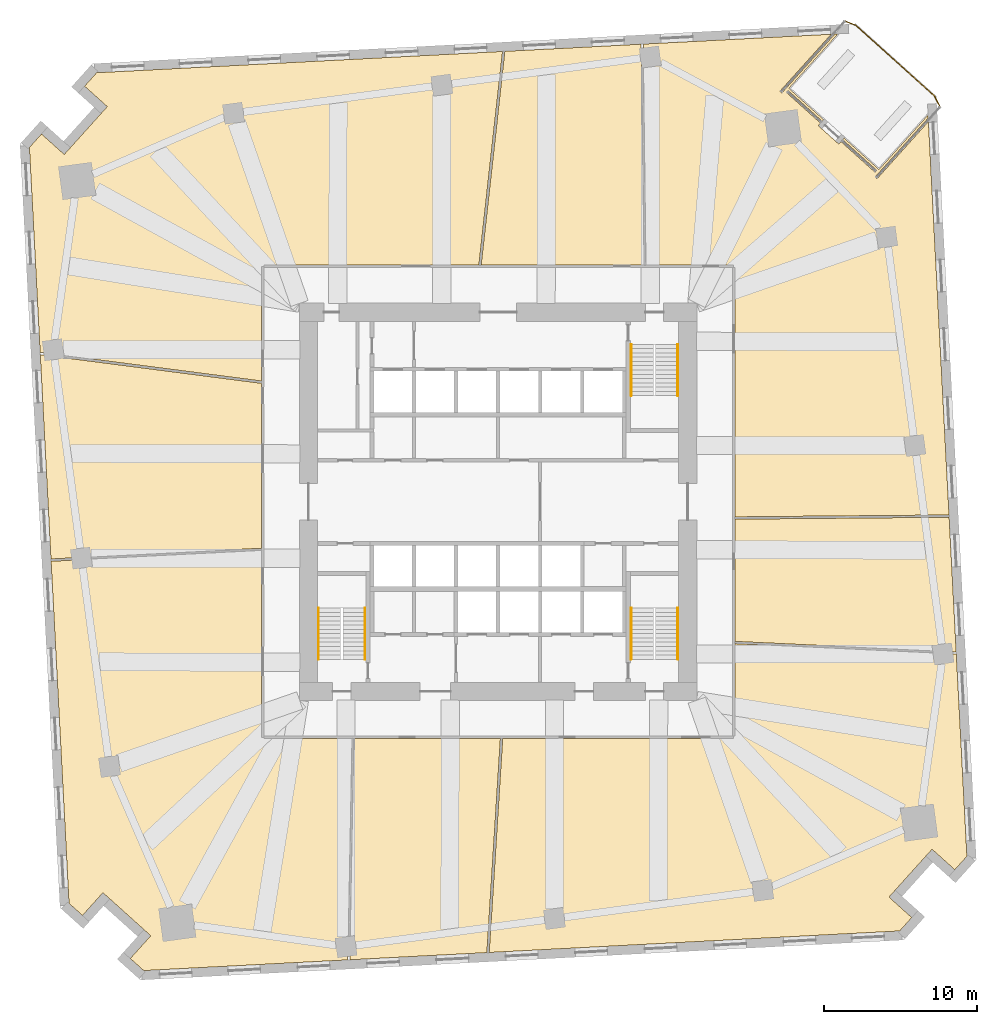
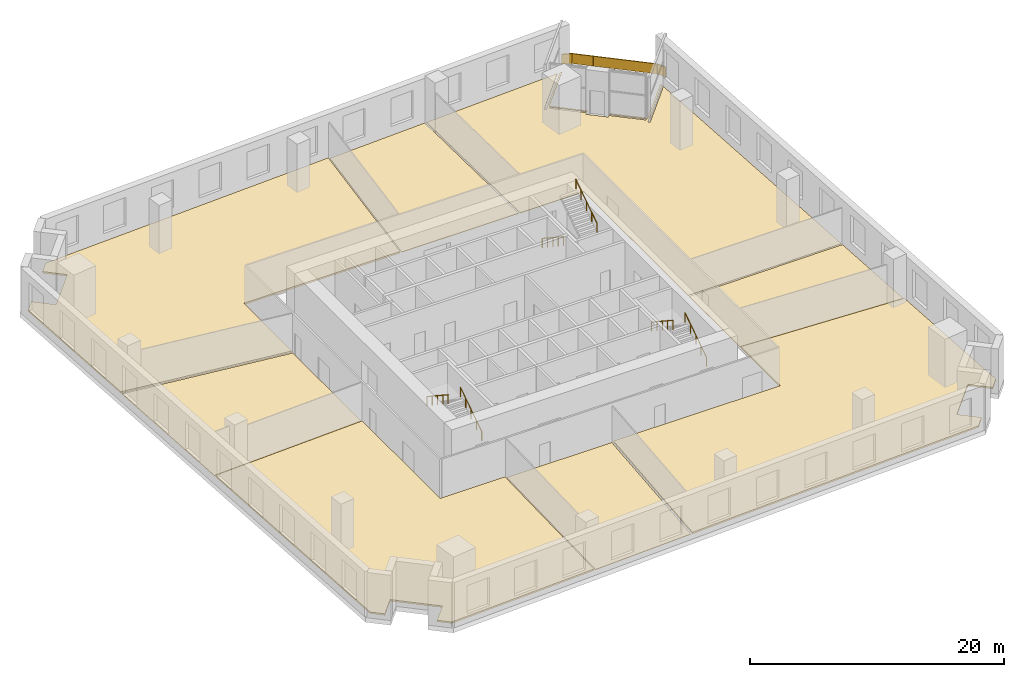
# One storey, part 9 of 10: 8 coverings, 7 railings.
"""IFC4 building model written with IfcOpenShell, lengths in metres."""

from ifc_helpers import new_model, si_unit, direction, frame, origin, origin_2d, place, context, subcontext, project, spatial, polyline, rectangle, circle, outline, extrude, material, layer, layer_set, type_object, element, save


model = new_model("IFC4")

# Units and contexts
model_context = context("Model", 3, precision=1e-05, world=origin(), true_north=direction((0.0, 1.0)))
body_context = subcontext(model_context, "Body", "Model", "MODEL_VIEW")
ifc_project = project(units=[si_unit("LENGTHUNIT", "METRE"), si_unit("AREAUNIT", "SQUARE_METRE"), si_unit("VOLUMEUNIT", "CUBIC_METRE"), si_unit("PLANEANGLEUNIT", "RADIAN"), si_unit("MASSUNIT", "GRAM", prefix="KILO")], contexts=[model_context])

# Site, building, storey
site_placement = place(None, origin())
site = spatial("IfcSite", under=ifc_project, at=site_placement, CompositionType="ELEMENT")
building_placement = place(site_placement, origin())
building = spatial("IfcBuilding", under=site, at=building_placement, Name="Dilmun Exchange Tower", CompositionType="ELEMENT")
storey_placement = place(building_placement, frame((0.0, 0.0, 27.300048828125)))
storey = spatial("IfcBuildingStorey", under=building, at=storey_placement, Name="L06", CompositionType="ELEMENT", Elevation=27.300048828125)

# Coverings
ifc_material_1 = material(Name="Carpet floor finish 50")
ifc_layer_1 = layer(ifc_material_1, 0.050048828125)
ifc_layer_set_1 = layer_set([ifc_layer_1], Name="Carpet floor finish 50")
covering_type_1 = type_object("IfcCoveringType", Name="Carpet floor finish 50", PredefinedType="FLOORING", material=ifc_layer_set_1)
covering_1_placement = place(storey_placement, origin())
element("IfcCovering", 1, at=covering_1_placement, inside=storey, type_object=covering_type_1, Name="Carpet floor finish 50 Trading support office 1", PredefinedType="FLOORING", context=body_context, shape_type="SweptSolid", body=[
    extrude(outline(polyline([(-15.47509765625, 7.75), (-15.47509765625, -3.034423828125), (-29.24267578125, -3.734619140625), (-29.942626953125, 9.6240234375), (-15.47509765625, 7.75)])), origin(), (0.0, 0.0, 1.0), 0.050048828125),
])
covering_2_placement = place(storey_placement, origin())
element("IfcCovering", 2, at=covering_2_placement, inside=storey, type_object=covering_type_1, Name="Carpet floor finish 50 Trading support office 2", PredefinedType="FLOORING", context=body_context, shape_type="SweptSolid", body=[
    extrude(outline(polyline([(0.14599609375, -15.47509765625), (-0.7373046875, -29.47705078125), (-9.691650390625, -29.9462890625), (-9.42041015625, -15.47509765625), (0.14599609375, -15.47509765625)])), origin(), (0.0, 0.0, 1.0), 0.050048828125),
])
covering_3_placement = place(storey_placement, origin())
element("IfcCovering", 3, at=covering_3_placement, inside=storey, type_object=covering_type_1, Name="Carpet floor finish 50 Trading support office 3", PredefinedType="FLOORING", context=body_context, shape_type="SweptSolid", body=[
    extrude(outline(polyline([(-1.112060546875, 15.47509765625), (0.4365234375, 29.461181640625), (9.347412109375, 29.92822265625), (9.529052734375, 15.47509765625), (-1.112060546875, 15.47509765625)])), origin(), (0.0, 0.0, 1.0), 0.050048828125),
])
covering_4_placement = place(storey_placement, origin())
element("IfcCovering", 4, at=covering_4_placement, inside=storey, type_object=covering_type_1, Name="Carpet floor finish 50 Garden lounge", PredefinedType="FLOORING", context=body_context, shape_type="SweptSolid", body=[
    extrude(outline(polyline([(19.01220703125, 27.039306640625), (21.287841796875, 24.990478515625), (21.192138671875, 24.88427734375), (18.972412109375, 26.8828125), (18.97216796875, 26.883056640625), (18.971923828125, 26.88330078125), (18.9716796875, 26.88330078125), (18.9716796875, 26.88330078125), (18.971435546875, 26.88330078125), (18.97119140625, 26.88330078125), (18.970947265625, 26.883544921875), (18.970703125, 26.88330078125), (18.970703125, 26.88330078125), (18.970458984375, 26.88330078125), (18.97021484375, 26.88330078125), (18.97021484375, 26.88330078125), (18.969970703125, 26.88330078125), (18.9697265625, 26.883056640625), (18.969482421875, 26.8828125), (18.969482421875, 26.8828125), (18.8623046875, 26.763916015625), (18.8623046875, 26.763671875), (18.8623046875, 26.763671875), (18.862060546875, 26.763427734375), (18.862060546875, 26.76318359375), (18.86181640625, 26.762939453125), (18.86181640625, 26.7626953125), (18.86181640625, 26.7626953125), (18.86181640625, 26.762451171875), (18.86181640625, 26.76220703125), (18.86181640625, 26.76220703125), (18.862060546875, 26.761962890625), (18.862060546875, 26.76171875), (18.8623046875, 26.761474609375), (18.8623046875, 26.761474609375), (18.8623046875, 26.76123046875), (18.862548828125, 26.760986328125), (21.082275390625, 24.762451171875), (20.9365234375, 24.600341796875), (20.936279296875, 24.60009765625), (20.936279296875, 24.60009765625), (20.93603515625, 24.599853515625), (20.93603515625, 24.599609375), (20.93603515625, 24.599609375), (20.93603515625, 24.599365234375), (20.93603515625, 24.59912109375), (20.93603515625, 24.59912109375), (20.93603515625, 24.598876953125), (20.93603515625, 24.5986328125), (20.93603515625, 24.598388671875), (20.936279296875, 24.59814453125), (20.936279296875, 24.597900390625), (20.936279296875, 24.597900390625), (20.9365234375, 24.59765625), (20.9365234375, 24.59765625), (22.2744140625, 23.39306640625), (22.2744140625, 23.392822265625), (22.274658203125, 23.392822265625), (22.27490234375, 23.392578125), (22.27490234375, 23.392578125), (22.275146484375, 23.392578125), (22.275390625, 23.392578125), (22.275634765625, 23.392578125), (22.27587890625, 23.392578125), (22.27587890625, 23.392578125), (22.276123046875, 23.392578125), (22.2763671875, 23.392578125), (22.276611328125, 23.392822265625), (22.276611328125, 23.392822265625), (22.27685546875, 23.39306640625), (22.277099609375, 23.39306640625), (22.277099609375, 23.393310546875), (22.423095703125, 23.55517578125), (24.642822265625, 21.556396484375), (24.64306640625, 21.556396484375), (24.64306640625, 21.55615234375), (24.643310546875, 21.55615234375), (24.6435546875, 21.55615234375), (24.643798828125, 21.555908203125), (24.643798828125, 21.555908203125), (24.64404296875, 21.555908203125), (24.644287109375, 21.555908203125), (24.64453125, 21.555908203125), (24.644775390625, 21.555908203125), (24.644775390625, 21.55615234375), (24.64501953125, 21.55615234375), (24.645263671875, 21.55615234375), (24.6455078125, 21.556396484375), (24.6455078125, 21.556396484375), (24.645751953125, 21.556640625), (24.752685546875, 21.675537109375), (24.752685546875, 21.67578125), (24.7529296875, 21.67578125), (24.7529296875, 21.676025390625), (24.753173828125, 21.67626953125), (24.753173828125, 21.676513671875), (24.753173828125, 21.676513671875), (24.753173828125, 21.6767578125), (24.753173828125, 21.677001953125), (24.753173828125, 21.67724609375), (24.753173828125, 21.67724609375), (24.753173828125, 21.677490234375), (24.7529296875, 21.677734375), (24.7529296875, 21.677978515625), (24.752685546875, 21.677978515625), (24.752685546875, 21.67822265625), (24.752685546875, 21.67822265625), (22.53271484375, 23.677001953125), (22.62841796875, 23.783447265625), (24.904052734375, 21.734619140625), (28.112548828125, 25.2978515625), (28.123291015625, 25.095947265625), (24.658935546875, 21.24853515625), (24.65869140625, 21.248291015625), (24.65869140625, 21.248291015625), (24.65869140625, 21.248046875), (24.65869140625, 21.247802734375), (24.658447265625, 21.247802734375), (24.658447265625, 21.24755859375), (24.658447265625, 21.247314453125), (24.658447265625, 21.2470703125), (24.658447265625, 21.246826171875), (24.658447265625, 21.24658203125), (24.65869140625, 21.24658203125), (24.65869140625, 21.246337890625), (24.65869140625, 21.24609375), (24.65869140625, 21.24609375), (24.658935546875, 21.245849609375), (24.6591796875, 21.24560546875), (24.778076171875, 21.138671875), (24.7783203125, 21.138671875), (24.7783203125, 21.138427734375), (24.778564453125, 21.138427734375), (24.77880859375, 21.13818359375), (24.77880859375, 21.13818359375), (24.779052734375, 21.13818359375), (24.779296875, 21.13818359375), (24.779541015625, 21.13818359375), (24.77978515625, 21.13818359375), (24.77978515625, 21.13818359375), (24.780029296875, 21.13818359375), (24.7802734375, 21.138427734375), (24.780517578125, 21.138427734375), (24.780517578125, 21.138671875), (24.78076171875, 21.138671875), (24.78076171875, 21.138916015625), (28.13525390625, 24.864501953125), (29.4833984375, -0.856689453125), (15.47509765625, -0.981689453125), (15.47509765625, 15.47509765625), (9.678955078125, 15.47509765625), (9.497314453125, 29.93603515625), (21.787109375, 30.580078125), (18.432861328125, 26.854736328125), (18.4326171875, 26.8544921875), (18.4326171875, 26.8544921875), (18.432373046875, 26.854248046875), (18.432373046875, 26.85400390625), (18.432373046875, 26.853759765625), (18.432373046875, 26.853515625), (18.432373046875, 26.853515625), (18.432373046875, 26.853271484375), (18.432373046875, 26.85302734375), (18.432373046875, 26.852783203125), (18.432373046875, 26.852783203125), (18.432373046875, 26.8525390625), (18.4326171875, 26.852294921875), (18.4326171875, 26.85205078125), (18.432861328125, 26.85205078125), (18.432861328125, 26.851806640625), (18.5517578125, 26.744873046875), (18.552001953125, 26.74462890625), (18.552001953125, 26.74462890625), (18.55224609375, 26.744384765625), (18.552490234375, 26.744384765625), (18.552734375, 26.744384765625), (18.552978515625, 26.744384765625), (18.552978515625, 26.744384765625), (18.55322265625, 26.744384765625), (18.553466796875, 26.744384765625), (18.5537109375, 26.744384765625), (18.5537109375, 26.744384765625), (18.553955078125, 26.744384765625), (18.55419921875, 26.74462890625), (18.55419921875, 26.74462890625), (18.554443359375, 26.744873046875), (18.5546875, 26.744873046875), (22.018798828125, 30.59228515625), (22.220703125, 30.602783203125), (19.01220703125, 27.039306640625)])), origin(), (0.0, 0.0, 1.0), 0.050048828125),
])
covering_5_placement = place(storey_placement, origin())
element("IfcCovering", 5, at=covering_5_placement, inside=storey, type_object=covering_type_1, Name="Carpet floor finish 50 Broker office", PredefinedType="FLOORING", context=body_context, shape_type="SweptSolid", body=[
    extrude(outline(polyline([(15.47509765625, -9.124267578125), (15.47509765625, -1.131591796875), (29.4912109375, -1.0068359375), (29.952392578125, -9.810546875), (15.47509765625, -9.124267578125)])), origin(), (0.0, 0.0, 1.0), 0.050048828125),
])
ifc_material_2 = material(Name="Raised access floor 150")
ifc_layer_2 = layer(ifc_material_2, 0.14990234375)
ifc_layer_set_2 = layer_set([ifc_layer_2], Name="Raised access floor 150")
covering_type_2 = type_object("IfcCoveringType", Name="Raised access floor 150", PredefinedType="FLOORING", material=ifc_layer_set_2)
covering_6_placement = place(storey_placement, origin())
element("IfcCovering", 6, at=covering_6_placement, inside=storey, type_object=covering_type_2, Name="Raised access floor 150 Trading hall 1", PredefinedType="FLOORING", context=body_context, shape_type="SweptSolid", body=[
    extrude(outline(polyline([(-15.47509765625, -3.184814453125), (-15.47509765625, -15.47509765625), (-9.5703125, -15.47509765625), (-9.841796875, -29.9541015625), (-23.17822265625, -30.653076171875), (-24.05810546875, -29.860595703125), (-22.72119140625, -28.3759765625), (-22.72119140625, -28.375732421875), (-22.720947265625, -28.37548828125), (-22.720947265625, -28.37548828125), (-22.720947265625, -28.375244140625), (-22.720703125, -28.375), (-22.720703125, -28.374755859375), (-22.720703125, -28.37451171875), (-22.720703125, -28.37451171875), (-22.720703125, -28.374267578125), (-22.720703125, -28.3740234375), (-22.720947265625, -28.373779296875), (-22.720947265625, -28.373779296875), (-22.720947265625, -28.37353515625), (-22.72119140625, -28.373291015625), (-22.72119140625, -28.373291015625), (-22.721435546875, -28.373046875), (-23.167236328125, -27.9716796875), (-23.167236328125, -27.9716796875), (-23.167236328125, -27.9716796875), (-25.396484375, -25.96435546875), (-25.396484375, -25.96435546875), (-25.396728515625, -25.964111328125), (-25.842529296875, -25.562744140625), (-25.8427734375, -25.5625), (-25.843017578125, -25.5625), (-25.843017578125, -25.562255859375), (-25.84326171875, -25.562255859375), (-25.843505859375, -25.562255859375), (-25.84375, -25.562255859375), (-25.84375, -25.562255859375), (-25.843994140625, -25.562255859375), (-25.84423828125, -25.562255859375), (-25.844482421875, -25.562255859375), (-25.844482421875, -25.562255859375), (-25.8447265625, -25.5625), (-25.844970703125, -25.5625), (-25.84521484375, -25.5625), (-25.84521484375, -25.562744140625), (-25.845458984375, -25.562744140625), (-27.182373046875, -27.047607421875), (-28.0625, -26.25537109375), (-29.23486328125, -3.88427734375), (-15.47509765625, -3.184814453125)])), origin(), (0.0, 0.0, 1.0), 0.14990234375),
])
covering_7_placement = place(storey_placement, origin())
element("IfcCovering", 7, at=covering_7_placement, inside=storey, type_object=covering_type_2, Name="Raised access floor 150 Trading hall 2", PredefinedType="FLOORING", context=body_context, shape_type="SweptSolid", body=[
    extrude(outline(polyline([(-1.262939453125, 15.47509765625), (-15.47509765625, 15.47509765625), (-15.47509765625, 7.901123046875), (-29.95068359375, 9.7763671875), (-30.653076171875, 23.17822265625), (-29.860595703125, 24.05810546875), (-28.3759765625, 22.72119140625), (-28.375732421875, 22.72119140625), (-28.37548828125, 22.720947265625), (-28.37548828125, 22.720947265625), (-28.375244140625, 22.720947265625), (-28.375, 22.720703125), (-28.374755859375, 22.720703125), (-28.37451171875, 22.720703125), (-28.37451171875, 22.720703125), (-28.374267578125, 22.720703125), (-28.3740234375, 22.720703125), (-28.373779296875, 22.720947265625), (-28.373779296875, 22.720947265625), (-28.37353515625, 22.720947265625), (-28.373291015625, 22.72119140625), (-28.373291015625, 22.72119140625), (-28.373046875, 22.721435546875), (-27.9716796875, 23.167236328125), (-27.9716796875, 23.167236328125), (-27.9716796875, 23.167236328125), (-25.96435546875, 25.396484375), (-25.96435546875, 25.396484375), (-25.964111328125, 25.396728515625), (-25.562744140625, 25.842529296875), (-25.5625, 25.8427734375), (-25.5625, 25.843017578125), (-25.562255859375, 25.843017578125), (-25.562255859375, 25.84326171875), (-25.562255859375, 25.843505859375), (-25.562255859375, 25.84375), (-25.562255859375, 25.84375), (-25.562255859375, 25.843994140625), (-25.562255859375, 25.84423828125), (-25.562255859375, 25.844482421875), (-25.562255859375, 25.844482421875), (-25.5625, 25.8447265625), (-25.5625, 25.844970703125), (-25.5625, 25.84521484375), (-25.562744140625, 25.84521484375), (-25.562744140625, 25.845458984375), (-27.047607421875, 27.182373046875), (-26.25537109375, 28.0625), (0.284912109375, 29.453369140625), (-1.262939453125, 15.47509765625)])), origin(), (0.0, 0.0, 1.0), 0.14990234375),
])
covering_8_placement = place(storey_placement, origin())
element("IfcCovering", 8, at=covering_8_placement, inside=storey, type_object=covering_type_2, Name="Raised access floor 150 Trading hall 3", PredefinedType="FLOORING", context=body_context, shape_type="SweptSolid", body=[
    extrude(outline(polyline([(0.29638671875, -15.47509765625), (15.47509765625, -15.47509765625), (15.47509765625, -9.2744140625), (29.96044921875, -9.961181640625), (30.653076171875, -23.17822265625), (29.860595703125, -24.05810546875), (28.3759765625, -22.72119140625), (28.375732421875, -22.72119140625), (28.37548828125, -22.720947265625), (28.37548828125, -22.720947265625), (28.375244140625, -22.720947265625), (28.375, -22.720703125), (28.374755859375, -22.720703125), (28.37451171875, -22.720703125), (28.37451171875, -22.720703125), (28.374267578125, -22.720703125), (28.3740234375, -22.720703125), (28.373779296875, -22.720947265625), (28.373779296875, -22.720947265625), (28.37353515625, -22.720947265625), (28.373291015625, -22.72119140625), (28.373291015625, -22.72119140625), (28.373046875, -22.721435546875), (27.9716796875, -23.167236328125), (27.9716796875, -23.167236328125), (27.9716796875, -23.167236328125), (25.96435546875, -25.396484375), (25.96435546875, -25.396484375), (25.964111328125, -25.396728515625), (25.562744140625, -25.842529296875), (25.5625, -25.8427734375), (25.5625, -25.843017578125), (25.562255859375, -25.843017578125), (25.562255859375, -25.84326171875), (25.562255859375, -25.843505859375), (25.562255859375, -25.84375), (25.562255859375, -25.84375), (25.562255859375, -25.843994140625), (25.562255859375, -25.84423828125), (25.562255859375, -25.844482421875), (25.562255859375, -25.844482421875), (25.5625, -25.8447265625), (25.5625, -25.844970703125), (25.5625, -25.84521484375), (25.562744140625, -25.84521484375), (25.562744140625, -25.845458984375), (27.047607421875, -27.182373046875), (26.25537109375, -28.0625), (-0.58642578125, -29.468994140625), (0.29638671875, -15.47509765625)])), origin(), (0.0, 0.0, 1.0), 0.14990234375),
])

# Railings
ifc_material_3 = material(Name="Stainless steel", Category="steel")
railing_type_1 = type_object("IfcRailingType", Name="Stair handrail 900", PredefinedType="HANDRAIL", material=ifc_material_3)
railing_1_placement = place(storey_placement, frame((8.699951171875, 10.300048828125, 0.1845703125)))
element("IfcRailing", 9, at=railing_1_placement, inside=storey, type_object=railing_type_1, Name="L06 ST1 stair handrail 1", PredefinedType="HANDRAIL", context=body_context, shape_type="SweptSolid", body=[
    extrude(circle(Radius=0.02392578125, at=origin_2d()), frame((0.0, 0.0, 0.8759765625), z_axis=(0.0, -0.834876476806, 0.550437342915), x_axis=(1.0, 0.0, 0.0)), (0.0, 0.0, 1.0), 4.024658203125),
    extrude(circle(Radius=0.02099609375, at=origin_2d()), origin(), (0.0, 0.0, 1.0), 0.851806640625),
    extrude(circle(Radius=0.02099609375, at=origin_2d()), frame((0.0, -0.840087890625, 0.5537109375)), (0.0, 0.0, 1.0), 0.851806640625),
    extrude(circle(Radius=0.02099609375, at=origin_2d()), frame((0.0, -1.68017578125, 1.107666015625)), (0.0, 0.0, 1.0), 0.851806640625),
    extrude(circle(Radius=0.02099609375, at=origin_2d()), frame((0.0, -2.52001953125, 1.66162109375)), (0.0, 0.0, 1.0), 0.851806640625),
    extrude(circle(Radius=0.02099609375, at=origin_2d()), frame((0.0, -3.360107421875, 2.21533203125)), (0.0, 0.0, 1.0), 0.851806640625),
])
railing_2_placement = place(storey_placement, frame((11.75, 6.93994140625, 2.58447265625)))
element("IfcRailing", 10, at=railing_2_placement, inside=storey, type_object=railing_type_1, Name="L06 ST1 stair handrail 2", PredefinedType="HANDRAIL", context=body_context, shape_type="SweptSolid", body=[
    extrude(circle(Radius=0.02392578125, at=origin_2d()), frame((0.0, 0.0, 0.8759765625), z_axis=(0.0, 0.834848600103, 0.550479622607), x_axis=(-1.0, 0.0, 0.0)), (0.0, 0.0, 1.0), 4.02490234375),
    extrude(circle(Radius=0.02099609375, at=origin_2d()), origin(), (0.0, 0.0, 1.0), 0.851806640625),
    extrude(circle(Radius=0.02099609375, at=origin_2d()), frame((0.0, 0.840087890625, 0.553955078125)), (0.0, 0.0, 1.0), 0.851806640625),
    extrude(circle(Radius=0.02099609375, at=origin_2d()), frame((0.0, 1.68017578125, 1.10791015625)), (0.0, 0.0, 1.0), 0.851806640625),
    extrude(circle(Radius=0.02099609375, at=origin_2d()), frame((0.0, 2.52001953125, 1.66162109375)), (0.0, 0.0, 1.0), 0.851806640625),
    extrude(circle(Radius=0.02099609375, at=origin_2d()), frame((0.0, 3.360107421875, 2.215576171875)), (0.0, 0.0, 1.0), 0.851806640625),
])
railing_3_placement = place(storey_placement, frame((-8.699951171875, -10.300048828125, 0.1845703125)))
element("IfcRailing", 11, at=railing_3_placement, inside=storey, type_object=railing_type_1, Name="L06 ST2 stair handrail 1", PredefinedType="HANDRAIL", context=body_context, shape_type="SweptSolid", body=[
    extrude(circle(Radius=0.02392578125, at=origin_2d()), frame((0.0, 0.0, 0.8759765625), z_axis=(0.0, 0.834876476806, 0.550437342915), x_axis=(-1.0, 0.0, 0.0)), (0.0, 0.0, 1.0), 4.024658203125),
    extrude(circle(Radius=0.02099609375, at=origin_2d()), origin(), (0.0, 0.0, 1.0), 0.851806640625),
    extrude(circle(Radius=0.02099609375, at=origin_2d()), frame((0.0, 0.840087890625, 0.5537109375)), (0.0, 0.0, 1.0), 0.851806640625),
    extrude(circle(Radius=0.02099609375, at=origin_2d()), frame((0.0, 1.68017578125, 1.107666015625)), (0.0, 0.0, 1.0), 0.851806640625),
    extrude(circle(Radius=0.02099609375, at=origin_2d()), frame((0.0, 2.52001953125, 1.66162109375)), (0.0, 0.0, 1.0), 0.851806640625),
    extrude(circle(Radius=0.02099609375, at=origin_2d()), frame((0.0, 3.360107421875, 2.21533203125)), (0.0, 0.0, 1.0), 0.851806640625),
])
railing_4_placement = place(storey_placement, frame((-11.75, -6.93994140625, 2.58447265625)))
element("IfcRailing", 12, at=railing_4_placement, inside=storey, type_object=railing_type_1, Name="L06 ST2 stair handrail 2", PredefinedType="HANDRAIL", context=body_context, shape_type="SweptSolid", body=[
    extrude(circle(Radius=0.02392578125, at=origin_2d()), frame((0.0, 0.0, 0.8759765625), z_axis=(0.0, -0.834848600103, 0.550479622607), x_axis=(1.0, 0.0, 0.0)), (0.0, 0.0, 1.0), 4.02490234375),
    extrude(circle(Radius=0.02099609375, at=origin_2d()), origin(), (0.0, 0.0, 1.0), 0.851806640625),
    extrude(circle(Radius=0.02099609375, at=origin_2d()), frame((0.0, -0.840087890625, 0.553955078125)), (0.0, 0.0, 1.0), 0.851806640625),
    extrude(circle(Radius=0.02099609375, at=origin_2d()), frame((0.0, -1.68017578125, 1.10791015625)), (0.0, 0.0, 1.0), 0.851806640625),
    extrude(circle(Radius=0.02099609375, at=origin_2d()), frame((0.0, -2.52001953125, 1.66162109375)), (0.0, 0.0, 1.0), 0.851806640625),
    extrude(circle(Radius=0.02099609375, at=origin_2d()), frame((0.0, -3.360107421875, 2.215576171875)), (0.0, 0.0, 1.0), 0.851806640625),
])
railing_5_placement = place(storey_placement, frame((11.75, -10.300048828125, 0.1845703125)))
element("IfcRailing", 13, at=railing_5_placement, inside=storey, type_object=railing_type_1, Name="L06 ST3 stair handrail 1", PredefinedType="HANDRAIL", context=body_context, shape_type="SweptSolid", body=[
    extrude(circle(Radius=0.02392578125, at=origin_2d()), frame((0.0, 0.0, 0.8759765625), z_axis=(0.0, 0.834876476806, 0.550437342915), x_axis=(-1.0, 0.0, 0.0)), (0.0, 0.0, 1.0), 4.024658203125),
    extrude(circle(Radius=0.02099609375, at=origin_2d()), origin(), (0.0, 0.0, 1.0), 0.851806640625),
    extrude(circle(Radius=0.02099609375, at=origin_2d()), frame((0.0, 0.840087890625, 0.5537109375)), (0.0, 0.0, 1.0), 0.851806640625),
    extrude(circle(Radius=0.02099609375, at=origin_2d()), frame((0.0, 1.68017578125, 1.107666015625)), (0.0, 0.0, 1.0), 0.851806640625),
    extrude(circle(Radius=0.02099609375, at=origin_2d()), frame((0.0, 2.52001953125, 1.66162109375)), (0.0, 0.0, 1.0), 0.851806640625),
    extrude(circle(Radius=0.02099609375, at=origin_2d()), frame((0.0, 3.360107421875, 2.21533203125)), (0.0, 0.0, 1.0), 0.851806640625),
])
railing_6_placement = place(storey_placement, frame((8.699951171875, -6.93994140625, 2.58447265625)))
element("IfcRailing", 14, at=railing_6_placement, inside=storey, type_object=railing_type_1, Name="L06 ST3 stair handrail 2", PredefinedType="HANDRAIL", context=body_context, shape_type="SweptSolid", body=[
    extrude(circle(Radius=0.02392578125, at=origin_2d()), frame((0.0, 0.0, 0.8759765625), z_axis=(0.0, -0.834848600103, 0.550479622607), x_axis=(1.0, 0.0, 0.0)), (0.0, 0.0, 1.0), 4.02490234375),
    extrude(circle(Radius=0.02099609375, at=origin_2d()), origin(), (0.0, 0.0, 1.0), 0.851806640625),
    extrude(circle(Radius=0.02099609375, at=origin_2d()), frame((0.0, -0.840087890625, 0.553955078125)), (0.0, 0.0, 1.0), 0.851806640625),
    extrude(circle(Radius=0.02099609375, at=origin_2d()), frame((0.0, -1.68017578125, 1.10791015625)), (0.0, 0.0, 1.0), 0.851806640625),
    extrude(circle(Radius=0.02099609375, at=origin_2d()), frame((0.0, -2.52001953125, 1.66162109375)), (0.0, 0.0, 1.0), 0.851806640625),
    extrude(circle(Radius=0.02099609375, at=origin_2d()), frame((0.0, -3.360107421875, 2.215576171875)), (0.0, 0.0, 1.0), 0.851806640625),
])
railing_type_2 = type_object("IfcRailingType", Name="Terrace guard 1100 stainless steel", PredefinedType="GUARDRAIL", material=ifc_material_3)
railing_7_placement = place(storey_placement, frame((22.67333984375, 31.44189453125, 0.0)))
element("IfcRailing", 15, at=railing_7_placement, inside=storey, type_object=railing_type_2, Name="Terrace guard 1", PredefinedType="GUARDRAIL", context=body_context, shape_type="SweptSolid", body=[
    extrude(circle(Radius=0.02392578125, at=origin_2d()), frame((0.0, 0.0, 1.076171875), z_axis=(0.929174341498, -0.369641776727, 0.0), x_axis=(0.369641776727, 0.929174341498, 0.0)), (0.0, 0.0, 1.0), 0.794677734375),
    extrude(rectangle(XDim=0.011962890625, YDim=0.951904296875, at=origin_2d()), frame((0.0, 0.0, 0.576171875), z_axis=(0.929174341498, -0.369641776727, 0.0), x_axis=(0.369641776727, 0.929174341498, 0.0)), (0.0, 0.0, 1.0), 0.794677734375),
    extrude(circle(Radius=0.02392578125, at=origin_2d()), frame((0.73828125, -0.293701171875, 1.076171875), z_axis=(0.743158424728, -0.669115502552, 0.0), x_axis=(0.669115502552, 0.743158424728, 0.0)), (0.0, 0.0, 1.0), 6.887939453125),
    extrude(rectangle(XDim=0.011962890625, YDim=0.951904296875, at=origin_2d()), frame((0.73828125, -0.293701171875, 0.576171875), z_axis=(0.743158424728, -0.669115502552, 0.0), x_axis=(0.669115502552, 0.743158424728, 0.0)), (0.0, 0.0, 1.0), 6.887939453125),
    extrude(circle(Radius=0.02392578125, at=origin_2d()), frame((5.857177734375, -4.902587890625, 1.076171875), z_axis=(0.464580964263, -0.88553064749, 0.0), x_axis=(0.88553064749, 0.464580964263, 0.0)), (0.0, 0.0, 1.0), 0.794677734375),
    extrude(rectangle(XDim=0.011962890625, YDim=0.951904296875, at=origin_2d()), frame((5.857177734375, -4.902587890625, 0.576171875), z_axis=(0.464580964263, -0.88553064749, 0.0), x_axis=(0.88553064749, 0.464580964263, 0.0)), (0.0, 0.0, 1.0), 0.794677734375),
    extrude(circle(Radius=0.02099609375, at=origin_2d()), origin(), (0.0, 0.0, 1.0), 1.052001953125),
    extrude(circle(Radius=0.02099609375, at=origin_2d()), frame((0.73828125, -0.293701171875, 0.0)), (0.0, 0.0, 1.0), 1.052001953125),
    extrude(circle(Radius=0.02099609375, at=origin_2d()), frame((2.01806640625, -1.44580078125, 0.0)), (0.0, 0.0, 1.0), 1.052001953125),
    extrude(circle(Radius=0.02099609375, at=origin_2d()), frame((3.2978515625, -2.59814453125, 0.0)), (0.0, 0.0, 1.0), 1.052001953125),
    extrude(circle(Radius=0.02099609375, at=origin_2d()), frame((4.577392578125, -3.75048828125, 0.0)), (0.0, 0.0, 1.0), 1.052001953125),
    extrude(circle(Radius=0.02099609375, at=origin_2d()), frame((5.857177734375, -4.902587890625, 0.0)), (0.0, 0.0, 1.0), 1.052001953125),
    extrude(circle(Radius=0.02099609375, at=origin_2d()), frame((6.226318359375, -5.606201171875, 0.0)), (0.0, 0.0, 1.0), 1.052001953125),
])

save(model, "model.ifc")
